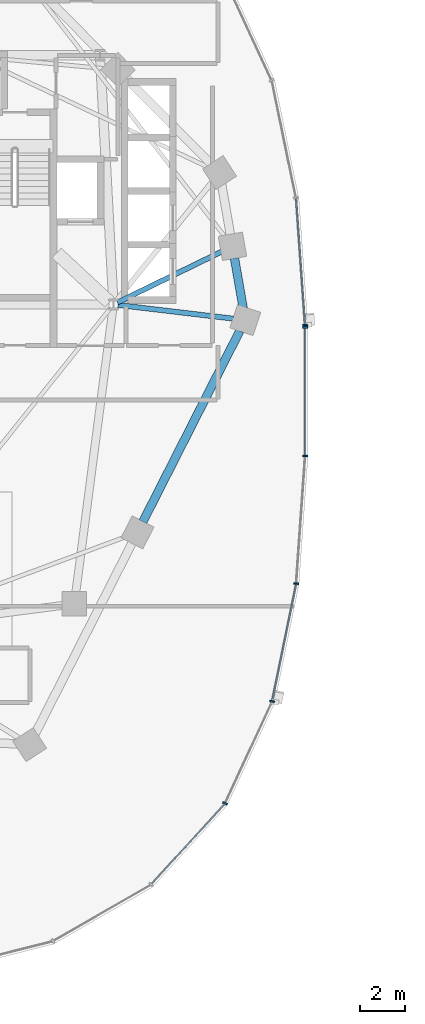
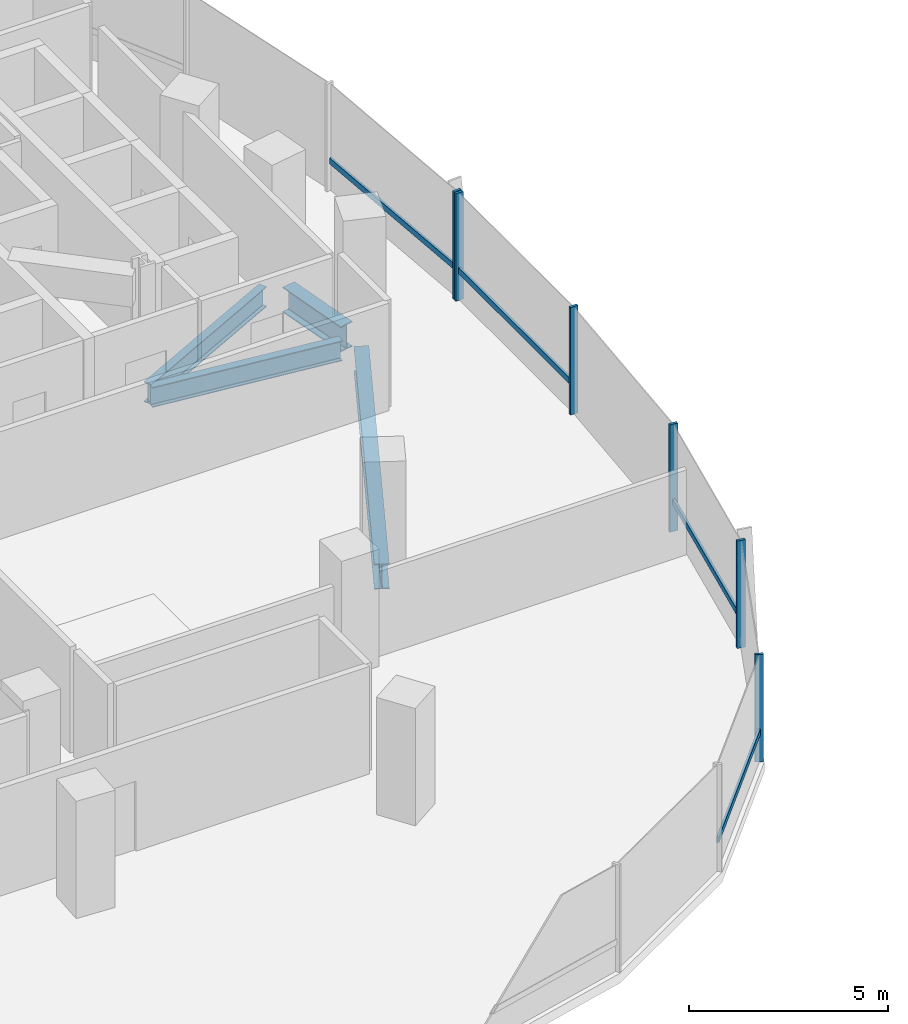
# One storey, part 3 of 21: 10 members, 4 beams, 2 elements without a shape of their own.
"""IFC4 building model written with IfcOpenShell, lengths in metres."""

from ifc_helpers import new_model, si_unit, direction, frame, origin, origin_2d, place, context, subcontext, project, spatial, rectangle, i_section, extrude, material, material_profile, profile_set, type_object, element, aggregate, save


model = new_model("IFC4")

# Units and contexts
model_context = context("Model", 3, precision=1e-05, world=origin(), true_north=direction((0.0, 1.0)))
body_context = subcontext(model_context, "Body", "Model", "MODEL_VIEW")
ifc_project = project(units=[si_unit("LENGTHUNIT", "METRE"), si_unit("AREAUNIT", "SQUARE_METRE"), si_unit("VOLUMEUNIT", "CUBIC_METRE"), si_unit("PLANEANGLEUNIT", "RADIAN"), si_unit("MASSUNIT", "GRAM", prefix="KILO"), si_unit("THERMODYNAMICTEMPERATUREUNIT", "KELVIN"), si_unit("POWERUNIT", "WATT")], contexts=[model_context])

# Site, building, storey
site_placement = place(None, origin())
site = spatial("IfcSite", under=ifc_project, at=site_placement, CompositionType="ELEMENT")
building_placement = place(site_placement, origin())
building = spatial("IfcBuilding", under=site, at=building_placement, Name="Cundina Bronze Exchange", CompositionType="ELEMENT")
storey_placement = place(building_placement, frame((0.0, 0.0, 103.39990234375)))
storey = spatial("IfcBuildingStorey", under=building, at=storey_placement, Name="L26", CompositionType="ELEMENT", Elevation=103.39990234375)

# Beams
ifc_material_1 = material(Name="Steel ASTM A992 Grade 50", Category="steel")
ifc_material_profile_1 = material_profile(ifc_material_1, i_section(OverallWidth=0.22998046875, OverallDepth=0.616943359375, WebThickness=0.01318359375, FlangeThickness=0.022216796875, FilletRadius=0.013916015625, at=origin_2d()), Name="W24X94", Category="steel")
ifc_profile_set_1 = profile_set([ifc_material_profile_1], Name="Steel ASTM A992 Grade 50")
beam_type_1 = type_object("IfcBeamType", Name="BM-FLR-W24B", PredefinedType="BEAM", material=ifc_profile_set_1)
beam_1_placement = place(storey_placement, frame((-21.247314453125, 3.8759765625, -0.6083984375), z_axis=(0.993035701683, -0.117813815752, 0.0), x_axis=(0.117813815752, 0.993035701683, 0.0)))
element("IfcBeam", 1, at=beam_1_placement, inside=storey, type_object=beam_type_1, Name="L26 Leg W Radial Floor Beam 00", PredefinedType="BEAM", context=body_context, shape_type="SweptSolid", body=[
    extrude(i_section(OverallWidth=0.22998046875, OverallDepth=0.616943359375, WebThickness=0.01318359375, FlangeThickness=0.022216796875, FilletRadius=0.013916015625, at=origin_2d()), origin(), (0.0, 0.0, 1.0), 5.19921875),
])
beam_2_placement = place(storey_placement, frame((-21.2666015625, 3.989501953125, -0.6083984375), z_axis=(0.898607246385, 0.438753936443, 0.0), x_axis=(-0.438753936443, 0.898607246385, 0.0)))
element("IfcBeam", 2, at=beam_2_placement, inside=storey, type_object=beam_type_1, Name="L26 Leg W Radial Floor Beam 01", PredefinedType="BEAM", context=body_context, shape_type="SweptSolid", body=[
    extrude(i_section(OverallWidth=0.22998046875, OverallDepth=0.616943359375, WebThickness=0.01318359375, FlangeThickness=0.022216796875, FilletRadius=0.013916015625, at=origin_2d()), origin(), (0.0, 0.0, 1.0), 5.183837890625),
])
ifc_material_profile_2 = material_profile(ifc_material_1, i_section(OverallWidth=0.381103515625, OverallDepth=0.77294921875, WebThickness=0.0166015625, FlangeThickness=0.027099609375, FilletRadius=0.01904296875, at=origin_2d()), Name="W30X173", Category="steel")
ifc_profile_set_2 = profile_set([ifc_material_profile_2], Name="Steel ASTM A992 Grade 50")
beam_type_2 = type_object("IfcBeamType", Name="BM-RING-W30", PredefinedType="USERDEFINED", material=ifc_profile_set_2)
beam_3_placement = place(storey_placement, frame((-15.642333984375, 3.72998046875, -0.6865234375), z_axis=(-0.171690078326, 0.985151012284, 0.0), x_axis=(-0.985151012284, -0.171690078326, 0.0)))
element("IfcBeam", 3, at=beam_3_placement, inside=storey, type_object=beam_type_2, Name="L26 W Perimeter Ring Girder 00", ObjectType="GIRDER", PredefinedType="USERDEFINED", context=body_context, shape_type="SweptSolid", body=[
    extrude(i_section(OverallWidth=0.381103515625, OverallDepth=0.77294921875, WebThickness=0.0166015625, FlangeThickness=0.027099609375, FilletRadius=0.01904296875, at=origin_2d()), origin(), (0.0, 0.0, 1.0), 2.273681640625),
])
beam_4_placement = place(storey_placement, frame((-20.13134765625, -5.8203125, -0.6865234375), z_axis=(0.452832332744, 0.891595692241, 0.0), x_axis=(-0.891595692241, 0.452832332744, 0.0)))
element("IfcBeam", 4, at=beam_4_placement, inside=storey, type_object=beam_type_2, Name="L26 W Perimeter Ring Girder 13", ObjectType="GIRDER", PredefinedType="USERDEFINED", context=body_context, shape_type="SweptSolid", body=[
    extrude(i_section(OverallWidth=0.381103515625, OverallDepth=0.77294921875, WebThickness=0.0166015625, FlangeThickness=0.027099609375, FilletRadius=0.01904296875, at=origin_2d()), origin(), (0.0, 0.0, 1.0), 9.578857421875),
])

# Curtain wall, member
ifc_material_2 = material(Name="Anodised Bronze Aluminium 6063-T6", Category="aluminium")
curtain_wall_type = type_object("IfcCurtainWallType", Name="CWS-TRD-MID", PredefinedType="NOTDEFINED", material=ifc_material_2)
curtain_wall_1_placement = place(storey_placement, origin())
curtain_wall_1 = element("IfcCurtainWall", 5, at=curtain_wall_1_placement, inside=storey, type_object=curtain_wall_type, Name="L26 CW-03 Curtain Wall Run CWR-L26-W1", PredefinedType="NOTDEFINED")
ifc_material_profile_3 = material_profile(ifc_material_2, rectangle(XDim=0.074951171875, YDim=0.219970703125, at=origin_2d()), Name="AL75X220", Category="aluminium")
ifc_profile_set_3 = profile_set([ifc_material_profile_3], Name="Anodised Bronze Aluminium 6063-T6")
member_type_1 = type_object("IfcMemberType", Name="CWM-MUL-220", PredefinedType="MULLION", material=ifc_profile_set_3)
member_1_placement = place(storey_placement, frame((-12.87548828125, 2.976318359375, 0.0), z_axis=(0.0, 0.0, 1.0), x_axis=(-0.070278787473, 0.997527389113, 0.0)))
member_1 = element("IfcMember", 6, at=member_1_placement, type_object=member_type_1, Name="CW-03 Mullion 1", PredefinedType="MULLION", context=body_context, shape_type="SweptSolid", body=[
    extrude(rectangle(XDim=0.074951171875, YDim=0.219970703125, at=origin_2d()), origin(), (0.0, 0.0, 1.0), 3.300048828125),
])

# Curtain wall, members
curtain_wall_2_placement = place(storey_placement, origin())
curtain_wall_2 = element("IfcCurtainWall", 7, at=curtain_wall_2_placement, inside=storey, type_object=curtain_wall_type, Name="L26 CW-03 Curtain Wall Run CWR-L26-W4", PredefinedType="NOTDEFINED")
member_2_placement = place(storey_placement, frame((-16.455810546875, -18.423583984375, 0.0), z_axis=(0.0, 0.0, 1.0), x_axis=(0.42087749791, 0.907117485088, 0.0)))
member_2 = element("IfcMember", 8, at=member_2_placement, type_object=member_type_1, Name="CW-03 Mullion 4", PredefinedType="MULLION", context=body_context, shape_type="SweptSolid", body=[
    extrude(rectangle(XDim=0.074951171875, YDim=0.219970703125, at=origin_2d()), origin(), (0.0, 0.0, 1.0), 3.300048828125),
])
member_3_placement = place(storey_placement, frame((-14.348876953125, -13.861328125, 0.0), z_axis=(0.0, 0.0, 1.0), x_axis=(0.201419845156, 0.979505000486, 0.0)))
member_3 = element("IfcMember", 9, at=member_3_placement, type_object=member_type_1, Name="CW-03 Mullion 5", PredefinedType="MULLION", context=body_context, shape_type="SweptSolid", body=[
    extrude(rectangle(XDim=0.074951171875, YDim=0.219970703125, at=origin_2d()), origin(), (0.0, 0.0, 1.0), 3.300048828125),
])
member_4_placement = place(storey_placement, frame((-13.27099609375, -8.591552734375, 0.0), z_axis=(0.0, 0.0, 1.0), x_axis=(0.070278787473, 0.997527389113, 0.0)))
member_4 = element("IfcMember", 10, at=member_4_placement, type_object=member_type_1, Name="CW-03 Mullion 6", PredefinedType="MULLION", context=body_context, shape_type="SweptSolid", body=[
    extrude(rectangle(XDim=0.074951171875, YDim=0.219970703125, at=origin_2d()), origin(), (0.0, 0.0, 1.0), 3.300048828125),
])
member_5_placement = place(storey_placement, frame((-12.8720703125, -2.880615234375, 0.0), z_axis=(0.0, 0.0, 1.0), x_axis=(0.0, 1.0, 0.0)))
member_5 = element("IfcMember", 11, at=member_5_placement, type_object=member_type_1, Name="CW-03 Mullion 7", PredefinedType="MULLION", context=body_context, shape_type="SweptSolid", body=[
    extrude(rectangle(XDim=0.074951171875, YDim=0.219970703125, at=origin_2d()), origin(), (0.0, 0.0, 1.0), 3.300048828125),
])
member_6_placement = place(storey_placement, frame((-12.8720703125, 2.880615234375, 0.0), z_axis=(0.0, 0.0, 1.0), x_axis=(0.0, 1.0, 0.0)))
member_6 = element("IfcMember", 12, at=member_6_placement, type_object=member_type_1, Name="CW-03 End Mullion", PredefinedType="MULLION", context=body_context, shape_type="SweptSolid", body=[
    extrude(rectangle(XDim=0.074951171875, YDim=0.219970703125, at=origin_2d()), origin(), (0.0, 0.0, 1.0), 3.300048828125),
])

# Member
ifc_material_profile_4 = material_profile(ifc_material_2, rectangle(XDim=0.070068359375, YDim=0.179931640625, at=origin_2d()), Name="AL70X180", Category="aluminium")
ifc_profile_set_4 = profile_set([ifc_material_profile_4], Name="Anodised Bronze Aluminium 6063-T6")
member_type_2 = type_object("IfcMemberType", Name="CWM-TRN-180", PredefinedType="USERDEFINED", material=ifc_profile_set_4)
member_7_placement = place(storey_placement, frame((-12.87841796875, 3.017333984375, 0.920166015625), z_axis=(-0.070260714471, 0.997528662246, 0.0), x_axis=(-0.997528662246, -0.070260714471, 0.0)))
member_7 = element("IfcMember", 13, at=member_7_placement, type_object=member_type_2, Name="CW-03 Spandrel Transom 1", ObjectType="TRANSOM", PredefinedType="USERDEFINED", context=body_context, shape_type="SweptSolid", body=[
    extrude(rectangle(XDim=0.070068359375, YDim=0.179931640625, at=origin_2d()), origin(), (0.0, 0.0, 1.0), 5.629150390625),
])

aggregate(curtain_wall_1, [member_1, member_7])

member_8_placement = place(storey_placement, frame((-19.73291015625, -22.027099609375, 0.920166015625), z_axis=(0.674302794847, 0.738454968743, 0.0), x_axis=(-0.738454968743, 0.674302794847, 0.0)))
member_8 = element("IfcMember", 14, at=member_8_placement, type_object=member_type_2, Name="CW-03 Spandrel Transom 3", ObjectType="TRANSOM", PredefinedType="USERDEFINED", context=body_context, shape_type="SweptSolid", body=[
    extrude(rectangle(XDim=0.070068359375, YDim=0.179931640625, at=origin_2d()), origin(), (0.0, 0.0, 1.0), 4.848388671875),
])

member_9_placement = place(storey_placement, frame((-14.340576171875, -13.821044921875, 0.920166015625), z_axis=(0.201427712708, 0.979503382615, 0.0), x_axis=(-0.979503382615, 0.201427712708, 0.0)))
member_9 = element("IfcMember", 15, at=member_9_placement, type_object=member_type_2, Name="CW-03 Spandrel Transom 5", ObjectType="TRANSOM", PredefinedType="USERDEFINED", context=body_context, shape_type="SweptSolid", body=[
    extrude(rectangle(XDim=0.070068359375, YDim=0.179931640625, at=origin_2d()), origin(), (0.0, 0.0, 1.0), 5.291748046875),
])

member_10_placement = place(storey_placement, frame((-12.8720703125, -2.839111328125, 0.920166015625), z_axis=(0.0, 1.0, 0.0), x_axis=(-1.0, 0.0, 0.0)))
member_10 = element("IfcMember", 16, at=member_10_placement, type_object=member_type_2, Name="CW-03 Spandrel Transom 7", ObjectType="TRANSOM", PredefinedType="USERDEFINED", context=body_context, shape_type="SweptSolid", body=[
    extrude(rectangle(XDim=0.070068359375, YDim=0.179931640625, at=origin_2d()), origin(), (0.0, 0.0, 1.0), 5.67822265625),
])

aggregate(curtain_wall_2, [member_8, member_2, member_3, member_9, member_4, member_5, member_6, member_10])

save(model, "model.ifc")
